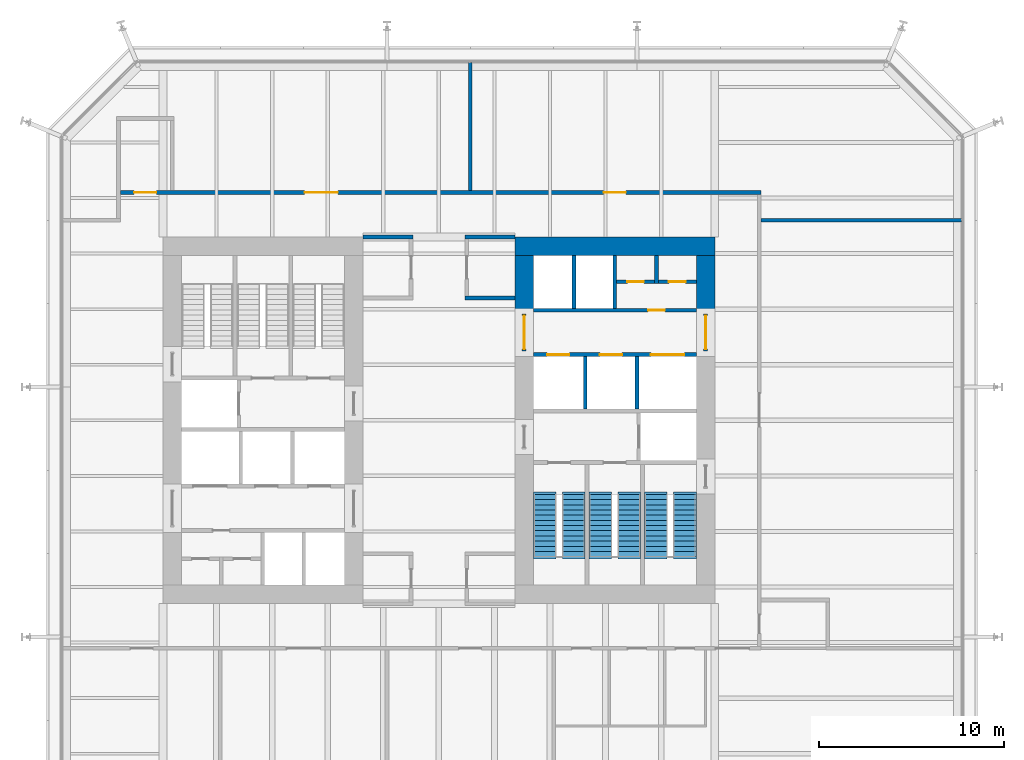
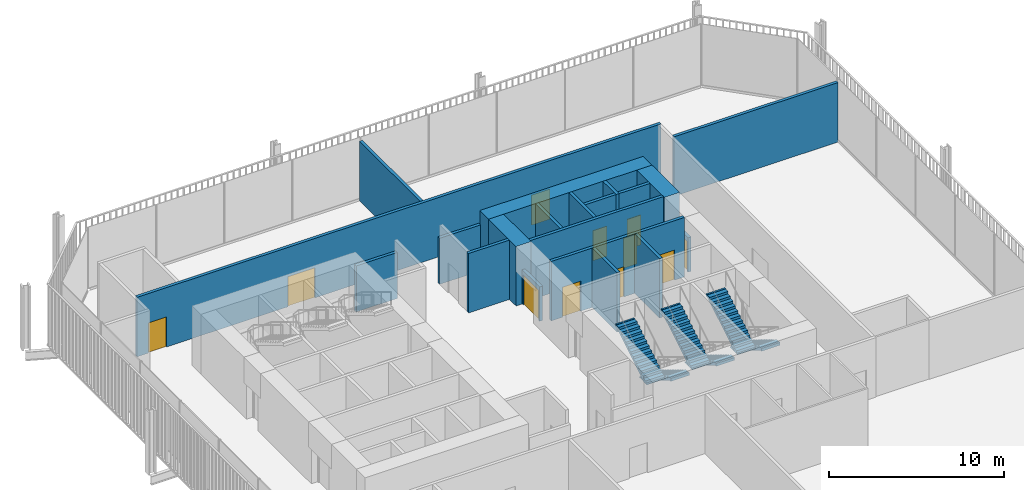
# One storey, part 18 of 20: 19 walls, 11 doors, 6 stair flights, 11 openings, 3 elements without a shape of their own.
"""IFC4 building model written with IfcOpenShell, lengths in metres."""

from ifc_helpers import new_model, si_unit, direction, frame, frame_2d, origin, place, context, subcontext, project, spatial, polyline, rectangle, outline, extrude, material, layer, layer_set, type_object, element, fill, aggregate, save


model = new_model("IFC4")

# Units and contexts
model_context = context("Model", 3, precision=1e-05, world=origin(), true_north=direction((0.0, 1.0)))
body_context = subcontext(model_context, "Body", "Model", "MODEL_VIEW")
ifc_project = project(units=[si_unit("LENGTHUNIT", "METRE"), si_unit("AREAUNIT", "SQUARE_METRE"), si_unit("VOLUMEUNIT", "CUBIC_METRE"), si_unit("PLANEANGLEUNIT", "RADIAN"), si_unit("MASSUNIT", "GRAM", prefix="KILO")], contexts=[model_context])

# Site, building, storey
site_placement = place(None, origin())
site = spatial("IfcSite", under=ifc_project, at=site_placement, CompositionType="ELEMENT")
building_placement = place(site_placement, origin())
building = spatial("IfcBuilding", under=site, at=building_placement, Name="Millrace Tower", CompositionType="ELEMENT")
storey_placement = place(building_placement, frame((0.0, 0.0, 108.39990234375)))
storey = spatial("IfcBuildingStorey", under=building, at=storey_placement, Name="L24", CompositionType="ELEMENT", Elevation=108.39990234375)

# Walls
ifc_material_1 = material(Name="Concrete C80", Category="concrete")
ifc_layer_1 = layer(ifc_material_1, 1.0)
ifc_layer_set_1 = layer_set([ifc_layer_1], Name="Concrete C80")
wall_type_1 = type_object("IfcWallType", Name="Core wall 1000 Concrete C80", PredefinedType="SHEAR", material=ifc_layer_set_1)
wall_1_placement = place(storey_placement, frame((14.89990234375, 9.39990234375, 0.0), z_axis=(0.0, 0.0, 1.0), x_axis=(-1.0, 0.0, 0.0)))
element("IfcWall", 1, at=wall_1_placement, inside=storey, type_object=wall_type_1, Name="Core wall E L24", PredefinedType="SHEAR", context=body_context, shape_type="SweptSolid", body=[
    extrude(rectangle(XDim=10.7998046875, YDim=1.0, at=frame_2d((5.39990234375, 0.0))), origin(), (0.0, 0.0, 1.0), 4.150146484375),
])
for number, where, z_axis, x_axis, name in (
    (2, (14.39990234375, 8.89990234375, 0.0), (0.0, 0.0, 1.0), (0.0, -1.0, 0.0), "Core wall E L24"),
    (3, (4.60009765625, 8.89990234375, 0.0), (0.0, 0.0, 1.0), (0.0, -1.0, 0.0), "Core wall E L24"),
):
    element("IfcWall", number, at=place(storey_placement, frame(where, z_axis=z_axis, x_axis=x_axis)), inside=storey, type_object=wall_type_1, Name=name, PredefinedType="SHEAR", context=body_context, shape_type="SweptSolid", body=[
        extrude(rectangle(XDim=3.14990234375, YDim=1.0, at=frame_2d((1.574951171875, 0.0))), origin(), (0.0, 0.0, 1.0), 4.150146484375),
    ])
ifc_material_2 = material(Name="Masonry partition, fire-rated", Category="masonry")
ifc_layer_2 = layer(ifc_material_2, 0.199951171875)
ifc_layer_set_2 = layer_set([ifc_layer_2], Name="Masonry partition, fire-rated")
wall_type_2 = type_object("IfcWallType", Name="Corridor wall 200", PredefinedType="PARTITIONING", material=ifc_layer_set_2)
wall_2_placement = place(storey_placement, frame((1.39990234375, 6.60009765625, 0.0), z_axis=(0.0, 0.0, 1.0), x_axis=(1.0, 0.0, 0.0)))
element("IfcWall", 4, at=wall_2_placement, inside=storey, type_object=wall_type_2, Name="Corridor wall L24", PredefinedType="PARTITIONING", context=body_context, shape_type="SweptSolid", body=[
    extrude(rectangle(XDim=2.7001953125, YDim=0.199951171875, at=frame_2d((1.35009765625, 0.0))), origin(), (0.0, 0.0, 1.0), 4.150146484375),
])
for number, where, z_axis, x_axis, name in (
    (5, (-4.10009765625, 9.89990234375, 0.0), (0.0, 0.0, 1.0), (1.0, 0.0, 0.0), "Corridor wall L24"),
    (6, (1.39990234375, 9.89990234375, 0.0), (0.0, 0.0, 1.0), (1.0, 0.0, 0.0), "Corridor wall L24"),
):
    element("IfcWall", number, at=place(storey_placement, frame(where, z_axis=z_axis, x_axis=x_axis)), inside=storey, type_object=wall_type_2, Name=name, PredefinedType="PARTITIONING", context=body_context, shape_type="SweptSolid", body=[
        extrude(rectangle(XDim=2.7001953125, YDim=0.199951171875, at=frame_2d((1.35009765625, 0.0))), origin(), (0.0, 0.0, 1.0), 3.212890625),
    ])
wall_3_placement = place(storey_placement, frame((17.39990234375, 10.800048828125, 0.0), z_axis=(0.0, 0.0, 1.0), x_axis=(1.0, 0.0, 0.0)))
element("IfcWall", 7, at=wall_3_placement, inside=storey, type_object=wall_type_2, Name="Corridor wall L24", PredefinedType="PARTITIONING", context=body_context, shape_type="SweptSolid", body=[
    extrude(rectangle(XDim=10.830078125, YDim=0.199951171875, at=frame_2d((5.4150390625, 0.0))), origin(), (0.0, 0.0, 1.0), 4.150146484375),
])

# Wall, openings, doors
wall_4_placement = place(storey_placement, frame((-17.199951171875, 12.300048828125, 0.0), z_axis=(0.0, 0.0, 1.0), x_axis=(1.0, 0.0, 0.0)))
wall_4 = element("IfcWall", 8, at=wall_4_placement, inside=storey, type_object=wall_type_2, Name="Corridor wall L24", PredefinedType="PARTITIONING", context=body_context, shape_type="SweptSolid", body=[
    extrude(rectangle(XDim=34.599853515625, YDim=0.199951171875, at=frame_2d((17.2998046875, 0.0))), origin(), (0.0, 0.0, 1.0), 4.150146484375),
])
opening_1_placement = place(wall_4_placement, frame((9.949951171875, 0.0, 0.0)))
opening_1 = element("IfcOpeningElement", 9, at=opening_1_placement, cuts=wall_4, Name="Opening 24-P012", PredefinedType="OPENING", context=body_context, shape_type="SweptSolid", body=[
    extrude(rectangle(XDim=1.800048828125, YDim=2.10009765625, at=frame_2d((0.89990234375, 1.050048828125))), frame((0.0, 0.10986328125, 0.0), z_axis=(0.0, -1.0, 0.0), x_axis=(1.0, 0.0, 0.0)), (0.0, 0.0, 1.0), 0.219970703125),
])
opening_2_placement = place(wall_4_placement, frame((0.75, 0.0, 0.0)))
opening_2 = element("IfcOpeningElement", 10, at=opening_2_placement, cuts=wall_4, Name="Opening 24-P013", PredefinedType="OPENING", context=body_context, shape_type="SweptSolid", body=[
    extrude(rectangle(XDim=1.199951171875, YDim=2.10009765625, at=frame_2d((0.60009765625, 1.050048828125))), frame((0.0, 0.10986328125, 0.0), z_axis=(0.0, -1.0, 0.0), x_axis=(1.0, 0.0, 0.0)), (0.0, 0.0, 1.0), 0.219970703125),
])
opening_3_placement = place(wall_4_placement, frame((26.10009765625, 0.0, 0.0)))
opening_3 = element("IfcOpeningElement", 11, at=opening_3_placement, cuts=wall_4, Name="Opening 24-P014", PredefinedType="OPENING", context=body_context, shape_type="SweptSolid", body=[
    extrude(rectangle(XDim=1.199951171875, YDim=2.10009765625, at=frame_2d((0.60009765625, 1.050048828125))), frame((0.0, 0.10986328125, 0.0), z_axis=(0.0, -1.0, 0.0), x_axis=(1.0, 0.0, 0.0)), (0.0, 0.0, 1.0), 0.219970703125),
])
ifc_material_3 = material(Name="Steel door set, fire-rated", Category="steel")
door_type_1 = type_object("IfcDoorType", Name="Corridor door 1200 x 2100", OperationType="SINGLE_SWING_LEFT", PredefinedType="DOOR", material=ifc_material_3)
door_1_placement = place(opening_2_placement, origin())
door_1 = element("IfcDoor", 12, at=door_1_placement, inside=storey, type_object=door_type_1, Name="Door 24-P013", OperationType="SINGLE_SWING_LEFT", OverallHeight=2.10009765625, OverallWidth=1.199951171875, PredefinedType="DOOR", context=body_context, shape_type="SweptSolid", body=[
    extrude(rectangle(XDim=1.199951171875, YDim=2.10009765625, at=frame_2d((0.60009765625, 1.050048828125))), frame((0.0, 0.02490234375, 0.0), z_axis=(0.0, -1.0, 0.0), x_axis=(1.0, 0.0, 0.0)), (0.0, 0.0, 1.0), 0.050048828125),
])
fill(opening_2, door_1)
door_2_placement = place(opening_3_placement, frame((1.199951171875, 0.0, 0.0), z_axis=(0.0, 0.0, 1.0), x_axis=(-1.0, 0.0, 0.0)))
door_2 = element("IfcDoor", 13, at=door_2_placement, inside=storey, type_object=door_type_1, Name="Door 24-P014", OperationType="SINGLE_SWING_LEFT", OverallHeight=2.10009765625, OverallWidth=1.199951171875, PredefinedType="DOOR", context=body_context, shape_type="SweptSolid", body=[
    extrude(rectangle(XDim=1.199951171875, YDim=2.10009765625, at=frame_2d((0.60009765625, 1.050048828125))), frame((0.0, 0.02490234375, 0.0), z_axis=(0.0, -1.0, 0.0), x_axis=(1.0, 0.0, 0.0)), (0.0, 0.0, 1.0), 0.050048828125),
])
fill(opening_3, door_2)
ifc_material_4 = material(Name="Steel door set, fire-rated", Category="steel")
door_type_2 = type_object("IfcDoorType", Name="Data hall door 1800 x 2100", OperationType="DOUBLE_DOOR_SINGLE_SWING", PredefinedType="DOOR", material=ifc_material_4)
door_3_placement = place(opening_1_placement, origin())
door_3 = element("IfcDoor", 14, at=door_3_placement, inside=storey, type_object=door_type_2, Name="Door 24-P012", OperationType="DOUBLE_DOOR_SINGLE_SWING", OverallHeight=2.10009765625, OverallWidth=1.800048828125, PredefinedType="DOOR", context=body_context, shape_type="SweptSolid", body=[
    extrude(rectangle(XDim=1.800048828125, YDim=2.10009765625, at=frame_2d((0.89990234375, 1.050048828125))), frame((0.0, 0.02490234375, 0.0), z_axis=(0.0, -1.0, 0.0), x_axis=(1.0, 0.0, 0.0)), (0.0, 0.0, 1.0), 0.050048828125),
])
fill(opening_1, door_3)

# Wall
wall_5_placement = place(storey_placement, frame((1.699951171875, 12.39990234375, 0.0), z_axis=(0.0, 0.0, 1.0), x_axis=(0.0, 1.0, 0.0)))
element("IfcWall", 15, at=wall_5_placement, inside=storey, type_object=wall_type_2, Name="Corridor wall L24", PredefinedType="PARTITIONING", context=body_context, shape_type="SweptSolid", body=[
    extrude(rectangle(XDim=6.93017578125, YDim=0.199951171875, at=frame_2d((3.465087890625, 0.0))), origin(), (0.0, 0.0, 1.0), 4.150146484375),
])

# Wall, opening, door
ifc_material_5 = material(Name="Masonry partition, fire-rated", Category="masonry")
ifc_layer_3 = layer(ifc_material_5, 0.199951171875)
ifc_layer_set_3 = layer_set([ifc_layer_3], Name="Masonry partition, fire-rated")
wall_type_3 = type_object("IfcWallType", Name="Lift shaft wall 200", PredefinedType="PARTITIONING", material=ifc_layer_set_3)
wall_6_placement = place(storey_placement, frame((13.89990234375, 5.949951171875, 0.0), z_axis=(0.0, 0.0, 1.0), x_axis=(-1.0, 0.0, 0.0)))
wall_6 = element("IfcWall", 16, at=wall_6_placement, inside=storey, type_object=wall_type_3, Name="Lift shaft wall E L24", PredefinedType="PARTITIONING", context=body_context, shape_type="SweptSolid", body=[
    extrude(rectangle(XDim=8.7998046875, YDim=0.199951171875, at=frame_2d((4.39990234375, 0.0))), origin(), (0.0, 0.0, 1.0), 4.150146484375),
])
opening_4_placement = place(wall_6_placement, frame((1.699951171875, 0.0, 0.0)))
opening_4 = element("IfcOpeningElement", 17, at=opening_4_placement, cuts=wall_6, Name="Opening 24-C014", PredefinedType="OPENING", context=body_context, shape_type="SweptSolid", body=[
    extrude(rectangle(XDim=0.89990234375, YDim=2.10009765625, at=frame_2d((0.449951171875, 1.050048828125))), frame((0.0, 0.10986328125, 0.0), z_axis=(0.0, -1.0, 0.0), x_axis=(1.0, 0.0, 0.0)), (0.0, 0.0, 1.0), 0.219970703125),
])
ifc_material_6 = material(Name="Steel door, fire-rated", Category="steel")
door_type_3 = type_object("IfcDoorType", Name="Service room door 900 x 2100", OperationType="SINGLE_SWING_LEFT", PredefinedType="DOOR", material=ifc_material_6)
door_4_placement = place(opening_4_placement, origin())
door_4 = element("IfcDoor", 18, at=door_4_placement, inside=storey, type_object=door_type_3, Name="Service room door 24-C014", OperationType="SINGLE_SWING_LEFT", OverallHeight=2.10009765625, OverallWidth=0.89990234375, PredefinedType="DOOR", context=body_context, shape_type="SweptSolid", body=[
    extrude(rectangle(XDim=0.89990234375, YDim=2.10009765625, at=frame_2d((0.449951171875, 1.050048828125))), frame((0.0, 0.02490234375, 0.0), z_axis=(0.0, -1.0, 0.0), x_axis=(1.0, 0.0, 0.0)), (0.0, 0.0, 1.0), 0.050048828125),
])
fill(opening_4, door_4)

# Wall, openings, doors
wall_7_placement = place(storey_placement, frame((13.89990234375, 3.550048828125, 0.0), z_axis=(0.0, 0.0, 1.0), x_axis=(-1.0, 0.0, 0.0)))
wall_7 = element("IfcWall", 19, at=wall_7_placement, inside=storey, type_object=wall_type_3, Name="Lift shaft wall E L24", PredefinedType="PARTITIONING", context=body_context, shape_type="SweptSolid", body=[
    extrude(rectangle(XDim=8.7998046875, YDim=0.199951171875, at=frame_2d((4.39990234375, 0.0))), origin(), (0.0, 0.0, 1.0), 4.150146484375),
])
opening_5_placement = place(wall_7_placement, frame((0.64990234375, 0.0, 0.0)))
opening_5 = element("IfcOpeningElement", 20, at=opening_5_placement, cuts=wall_7, Name="Opening 24-LD13", PredefinedType="OPENING", context=body_context, shape_type="SweptSolid", body=[
    extrude(rectangle(XDim=1.800048828125, YDim=2.10009765625, at=frame_2d((0.89990234375, 1.050048828125))), frame((0.0, 0.10986328125, 0.0), z_axis=(0.0, -1.0, 0.0), x_axis=(1.0, 0.0, 0.0)), (0.0, 0.0, 1.0), 0.219970703125),
])
opening_6_placement = place(wall_7_placement, frame((4.0, 0.0, 0.0)))
opening_6 = element("IfcOpeningElement", 21, at=opening_6_placement, cuts=wall_7, Name="Opening 24-LD14", PredefinedType="OPENING", context=body_context, shape_type="SweptSolid", body=[
    extrude(rectangle(XDim=1.199951171875, YDim=2.10009765625, at=frame_2d((0.60009765625, 1.050048828125))), frame((0.0, 0.10986328125, 0.0), z_axis=(0.0, -1.0, 0.0), x_axis=(1.0, 0.0, 0.0)), (0.0, 0.0, 1.0), 0.219970703125),
])
opening_7_placement = place(wall_7_placement, frame((6.85009765625, 0.0, 0.0)))
opening_7 = element("IfcOpeningElement", 22, at=opening_7_placement, cuts=wall_7, Name="Opening 24-LD15", PredefinedType="OPENING", context=body_context, shape_type="SweptSolid", body=[
    extrude(rectangle(XDim=1.199951171875, YDim=2.10009765625, at=frame_2d((0.60009765625, 1.050048828125))), frame((0.0, 0.10986328125, 0.0), z_axis=(0.0, -1.0, 0.0), x_axis=(1.0, 0.0, 0.0)), (0.0, 0.0, 1.0), 0.219970703125),
])
ifc_material_7 = material(Name="Stainless steel, fire-rated", Category="steel")
door_type_4 = type_object("IfcDoorType", Name="Lift landing door 1200 x 2100", OperationType="DOUBLE_DOOR_SLIDING", PredefinedType="DOOR", material=ifc_material_7)
door_5_placement = place(opening_6_placement, origin())
door_5 = element("IfcDoor", 23, at=door_5_placement, inside=storey, type_object=door_type_4, Name="Lift landing door LF14 L24", OperationType="DOUBLE_DOOR_SLIDING", OverallHeight=2.10009765625, OverallWidth=1.199951171875, PredefinedType="DOOR", context=body_context, shape_type="SweptSolid", body=[
    extrude(rectangle(XDim=1.199951171875, YDim=2.10009765625, at=frame_2d((0.60009765625, 1.050048828125))), frame((0.0, 0.02490234375, 0.0), z_axis=(0.0, -1.0, 0.0), x_axis=(1.0, 0.0, 0.0)), (0.0, 0.0, 1.0), 0.050048828125),
])
fill(opening_6, door_5)
door_6_placement = place(opening_7_placement, origin())
door_6 = element("IfcDoor", 24, at=door_6_placement, inside=storey, type_object=door_type_4, Name="Lift landing door LF15 L24", OperationType="DOUBLE_DOOR_SLIDING", OverallHeight=2.10009765625, OverallWidth=1.199951171875, PredefinedType="DOOR", context=body_context, shape_type="SweptSolid", body=[
    extrude(rectangle(XDim=1.199951171875, YDim=2.10009765625, at=frame_2d((0.60009765625, 1.050048828125))), frame((0.0, 0.02490234375, 0.0), z_axis=(0.0, -1.0, 0.0), x_axis=(1.0, 0.0, 0.0)), (0.0, 0.0, 1.0), 0.050048828125),
])
fill(opening_7, door_6)
ifc_material_8 = material(Name="Stainless steel, fire-rated", Category="steel")
door_type_5 = type_object("IfcDoorType", Name="Lift landing door 1800 x 2100", OperationType="DOUBLE_DOOR_SLIDING", PredefinedType="DOOR", material=ifc_material_8)
door_7_placement = place(opening_5_placement, origin())
door_7 = element("IfcDoor", 25, at=door_7_placement, inside=storey, type_object=door_type_5, Name="Lift landing door LF13 L24", OperationType="DOUBLE_DOOR_SLIDING", OverallHeight=2.10009765625, OverallWidth=1.800048828125, PredefinedType="DOOR", context=body_context, shape_type="SweptSolid", body=[
    extrude(rectangle(XDim=1.800048828125, YDim=2.10009765625, at=frame_2d((0.89990234375, 1.050048828125))), frame((0.0, 0.02490234375, 0.0), z_axis=(0.0, -1.0, 0.0), x_axis=(1.0, 0.0, 0.0)), (0.0, 0.0, 1.0), 0.050048828125),
])
fill(opening_5, door_7)

# Walls
for number, where, z_axis, x_axis, name in (
    (26, (9.5, 8.89990234375, 0.0), (0.0, 0.0, 1.0), (0.0, -1.0, 0.0), "Lift shaft wall E L24"),
    (27, (7.300048828125, 8.89990234375, 0.0), (0.0, 0.0, 1.0), (0.0, -1.0, 0.0), "Lift shaft wall E L24"),
    (28, (10.699951171875, 3.449951171875, 0.0), (0.0, 0.0, 1.0), (0.0, -1.0, 0.0), "Lift shaft wall E L24"),
    (29, (7.89990234375, 3.449951171875, 0.0), (0.0, 0.0, 1.0), (0.0, -1.0, 0.0), "Lift shaft wall E L24"),
):
    element("IfcWall", number, at=place(storey_placement, frame(where, z_axis=z_axis, x_axis=x_axis)), inside=storey, type_object=wall_type_3, Name=name, PredefinedType="PARTITIONING", context=body_context, shape_type="SweptSolid", body=[
        extrude(rectangle(XDim=2.849853515625, YDim=0.199951171875, at=frame_2d((1.4248046875, 0.0))), origin(), (0.0, 0.0, 1.0), 4.150146484375),
    ])

# Wall, opening, door
ifc_material_9 = material(Name="Masonry partition, fire-rated", Category="masonry")
ifc_layer_4 = layer(ifc_material_9, 0.199951171875)
ifc_layer_set_4 = layer_set([ifc_layer_4], Name="Masonry partition, fire-rated")
wall_type_4 = type_object("IfcWallType", Name="Lobby wall 200", PredefinedType="PARTITIONING", material=ifc_layer_set_4)
wall_8_placement = place(storey_placement, frame((14.39990234375, 5.75, 0.0), z_axis=(0.0, 0.0, 1.0), x_axis=(0.0, -1.0, 0.0)))
wall_8 = element("IfcWall", 30, at=wall_8_placement, inside=storey, type_object=wall_type_4, Name="Lobby wall E L24", PredefinedType="PARTITIONING", context=body_context, shape_type="SweptSolid", body=[
    extrude(rectangle(XDim=2.0, YDim=0.199951171875, at=frame_2d((1.0, 0.0))), origin(), (0.0, 0.0, 1.0), 2.400146484375),
])
opening_8_placement = place(wall_8_placement, frame((0.10009765625, 0.0, 0.0)))
opening_8 = element("IfcOpeningElement", 31, at=opening_8_placement, cuts=wall_8, Name="Opening 24-C010", PredefinedType="OPENING", context=body_context, shape_type="SweptSolid", body=[
    extrude(rectangle(XDim=1.800048828125, YDim=2.10009765625, at=frame_2d((0.89990234375, 1.050048828125))), frame((0.0, 0.10986328125, 0.0), z_axis=(0.0, -1.0, 0.0), x_axis=(1.0, 0.0, 0.0)), (0.0, 0.0, 1.0), 0.219970703125),
])
ifc_material_10 = material(Name="Steel door, fire-rated", Category="steel")
door_type_6 = type_object("IfcDoorType", Name="Lobby door 1800 x 2100", OperationType="DOUBLE_DOOR_SINGLE_SWING", PredefinedType="DOOR", material=ifc_material_10)
door_8_placement = place(opening_8_placement, origin())
door_8 = element("IfcDoor", 32, at=door_8_placement, inside=storey, type_object=door_type_6, Name="Lobby door 24-C010", OperationType="DOUBLE_DOOR_SINGLE_SWING", OverallHeight=2.10009765625, OverallWidth=1.800048828125, PredefinedType="DOOR", context=body_context, shape_type="SweptSolid", body=[
    extrude(rectangle(XDim=1.800048828125, YDim=2.10009765625, at=frame_2d((0.89990234375, 1.050048828125))), frame((0.0, 0.02490234375, 0.0), z_axis=(0.0, -1.0, 0.0), x_axis=(1.0, 0.0, 0.0)), (0.0, 0.0, 1.0), 0.050048828125),
])
fill(opening_8, door_8)

wall_9_placement = place(storey_placement, frame((4.60009765625, 5.75, 0.0), z_axis=(0.0, 0.0, 1.0), x_axis=(0.0, -1.0, 0.0)))
wall_9 = element("IfcWall", 33, at=wall_9_placement, inside=storey, type_object=wall_type_4, Name="Lobby wall E L24", PredefinedType="PARTITIONING", context=body_context, shape_type="SweptSolid", body=[
    extrude(rectangle(XDim=2.0, YDim=0.199951171875, at=frame_2d((1.0, 0.0))), origin(), (0.0, 0.0, 1.0), 2.400146484375),
])
opening_9_placement = place(wall_9_placement, frame((0.10009765625, 0.0, 0.0)))
opening_9 = element("IfcOpeningElement", 34, at=opening_9_placement, cuts=wall_9, Name="Opening 24-C012", PredefinedType="OPENING", context=body_context, shape_type="SweptSolid", body=[
    extrude(rectangle(XDim=1.800048828125, YDim=2.10009765625, at=frame_2d((0.89990234375, 1.050048828125))), frame((0.0, 0.10986328125, 0.0), z_axis=(0.0, -1.0, 0.0), x_axis=(1.0, 0.0, 0.0)), (0.0, 0.0, 1.0), 0.219970703125),
])
door_9_placement = place(opening_9_placement, origin())
door_9 = element("IfcDoor", 35, at=door_9_placement, inside=storey, type_object=door_type_6, Name="Lobby door 24-C012", OperationType="DOUBLE_DOOR_SINGLE_SWING", OverallHeight=2.10009765625, OverallWidth=1.800048828125, PredefinedType="DOOR", context=body_context, shape_type="SweptSolid", body=[
    extrude(rectangle(XDim=1.800048828125, YDim=2.10009765625, at=frame_2d((0.89990234375, 1.050048828125))), frame((0.0, 0.02490234375, 0.0), z_axis=(0.0, -1.0, 0.0), x_axis=(1.0, 0.0, 0.0)), (0.0, 0.0, 1.0), 0.050048828125),
])
fill(opening_9, door_9)

# Wall, openings, doors
ifc_material_11 = material(Name="Masonry partition, fire-rated", Category="masonry")
ifc_layer_5 = layer(ifc_material_11, 0.199951171875)
ifc_layer_set_5 = layer_set([ifc_layer_5], Name="Masonry partition, fire-rated")
wall_type_5 = type_object("IfcWallType", Name="Room partition 200", PredefinedType="PARTITIONING", material=ifc_layer_set_5)
wall_10_placement = place(storey_placement, frame((13.89990234375, 7.47509765625, 0.0), z_axis=(0.0, 0.0, 1.0), x_axis=(-1.0, 0.0, 0.0)))
wall_10 = element("IfcWall", 36, at=wall_10_placement, inside=storey, type_object=wall_type_5, Name="Room partition E L24", PredefinedType="PARTITIONING", context=body_context, shape_type="SweptSolid", body=[
    extrude(rectangle(XDim=4.2998046875, YDim=0.199951171875, at=frame_2d((2.14990234375, 0.0))), origin(), (0.0, 0.0, 1.0), 4.150146484375),
])
opening_10_placement = place(wall_10_placement, frame((0.574951171875, 0.0, 0.0)))
opening_10 = element("IfcOpeningElement", 37, at=opening_10_placement, cuts=wall_10, Name="Opening 24-C015", PredefinedType="OPENING", context=body_context, shape_type="SweptSolid", body=[
    extrude(rectangle(XDim=0.89990234375, YDim=2.10009765625, at=frame_2d((0.449951171875, 1.050048828125))), frame((0.0, 0.10986328125, 0.0), z_axis=(0.0, -1.0, 0.0), x_axis=(1.0, 0.0, 0.0)), (0.0, 0.0, 1.0), 0.219970703125),
])
opening_11_placement = place(wall_10_placement, frame((2.824951171875, 0.0, 0.0)))
opening_11 = element("IfcOpeningElement", 38, at=opening_11_placement, cuts=wall_10, Name="Opening 24-C016", PredefinedType="OPENING", context=body_context, shape_type="SweptSolid", body=[
    extrude(rectangle(XDim=0.89990234375, YDim=2.10009765625, at=frame_2d((0.449951171875, 1.050048828125))), frame((0.0, 0.10986328125, 0.0), z_axis=(0.0, -1.0, 0.0), x_axis=(1.0, 0.0, 0.0)), (0.0, 0.0, 1.0), 0.219970703125),
])
door_10_placement = place(opening_10_placement, frame((0.89990234375, 0.0, 0.0), z_axis=(0.0, 0.0, 1.0), x_axis=(-1.0, 0.0, 0.0)))
door_10 = element("IfcDoor", 39, at=door_10_placement, inside=storey, type_object=door_type_3, Name="Service room door 24-C015", OperationType="SINGLE_SWING_RIGHT", OverallHeight=2.10009765625, OverallWidth=0.89990234375, PredefinedType="DOOR", context=body_context, shape_type="SweptSolid", body=[
    extrude(rectangle(XDim=0.89990234375, YDim=2.10009765625, at=frame_2d((0.449951171875, 1.050048828125))), frame((0.0, 0.02490234375, 0.0), z_axis=(0.0, -1.0, 0.0), x_axis=(1.0, 0.0, 0.0)), (0.0, 0.0, 1.0), 0.050048828125),
])
fill(opening_10, door_10)
door_11_placement = place(opening_11_placement, frame((0.89990234375, 0.0, 0.0), z_axis=(0.0, 0.0, 1.0), x_axis=(-1.0, 0.0, 0.0)))
door_11 = element("IfcDoor", 40, at=door_11_placement, inside=storey, type_object=door_type_3, Name="Service room door 24-C016", OperationType="SINGLE_SWING_LEFT", OverallHeight=2.10009765625, OverallWidth=0.89990234375, PredefinedType="DOOR", context=body_context, shape_type="SweptSolid", body=[
    extrude(rectangle(XDim=0.89990234375, YDim=2.10009765625, at=frame_2d((0.449951171875, 1.050048828125))), frame((0.0, 0.02490234375, 0.0), z_axis=(0.0, -1.0, 0.0), x_axis=(1.0, 0.0, 0.0)), (0.0, 0.0, 1.0), 0.050048828125),
])
fill(opening_11, door_11)

# Wall
wall_11_placement = place(storey_placement, frame((11.75, 8.89990234375, 0.0), z_axis=(0.0, 0.0, 1.0), x_axis=(0.0, -1.0, 0.0)))
element("IfcWall", 41, at=wall_11_placement, inside=storey, type_object=wall_type_5, Name="Room partition E L24", PredefinedType="PARTITIONING", context=body_context, shape_type="SweptSolid", body=[
    extrude(rectangle(XDim=1.52490234375, YDim=0.199951171875, at=frame_2d((0.762451171875, 0.0))), origin(), (0.0, 0.0, 1.0), 4.150146484375),
])

# Stair, stair flights
ifc_material_12 = material(Name="Concrete C35", Category="concrete")
stair_type = type_object("IfcStairType", Name="Exit stair", PredefinedType="HALF_TURN_STAIR", material=ifc_material_12)
placement = place(storey_placement, origin())
stair_1 = element("IfcStair", 42, at=placement, inside=storey, type_object=stair_type, Name="Stair 1 E L24", PredefinedType="HALF_TURN_STAIR")
ifc_material_13 = material(Name="Concrete C35", Category="concrete")
stair_flight_type = type_object("IfcStairFlightType", Name="Exit stair flight", PredefinedType="STRAIGHT", material=ifc_material_13)
stair_flight_1_placement = place(storey_placement, frame((13.2900390625, -4.0, 0.0), z_axis=(0.0, 0.0, 1.0), x_axis=(0.0, -1.0, 0.0)))
stair_flight_1 = element("IfcStairFlight", 43, at=stair_flight_1_placement, type_object=stair_flight_type, Name="ST12 flight 1", NumberOfRisers=13, NumberOfTreads=12, PredefinedType="STRAIGHT", RiserHeight=0.169230769, TreadLength=0.28, context=body_context, shape_type="SweptSolid", body=[
    extrude(outline(polyline([(-0.1201171875, -0.0400390625), (-0.1201171875, 0.0), (0.0, 0.0), (0.0, 0.169189453125), (0.280029296875, 0.169189453125), (0.280029296875, 0.33837890625), (0.56005859375, 0.33837890625), (0.56005859375, 0.5078125), (0.840087890625, 0.5078125), (0.840087890625, 0.677001953125), (1.1201171875, 0.677001953125), (1.1201171875, 0.84619140625), (1.39990234375, 0.84619140625), (1.39990234375, 1.015380859375), (1.679931640625, 1.015380859375), (1.679931640625, 1.1845703125), (1.9599609375, 1.1845703125), (1.9599609375, 1.353759765625), (2.239990234375, 1.353759765625), (2.239990234375, 1.523193359375), (2.52001953125, 1.523193359375), (2.52001953125, 1.6923828125), (2.800048828125, 1.6923828125), (2.800048828125, 1.861572265625), (3.080078125, 1.861572265625), (3.080078125, 2.03076171875), (3.360107421875, 2.03076171875), (3.360107421875, 2.05078125), (3.47998046875, 2.05078125), (3.47998046875, 1.855712890625), (3.360107421875, 1.855712890625), (0.289794921875, 0.0), (0.289794921875, -0.0400390625), (-0.1201171875, -0.0400390625)])), frame((0.0, 0.60986328125, 0.0), z_axis=(0.0, -1.0, 0.0), x_axis=(1.0, 0.0, 0.0)), (0.0, 0.0, 1.0), 1.219970703125),
])
stair_flight_2_placement = place(storey_placement, frame((11.7099609375, -7.360107421875, 2.2001953125), z_axis=(0.0, 0.0, 1.0), x_axis=(0.0, 1.0, 0.0)))
stair_flight_2 = element("IfcStairFlight", 44, at=stair_flight_2_placement, type_object=stair_flight_type, Name="ST12 flight 2", NumberOfRisers=13, NumberOfTreads=12, PredefinedType="STRAIGHT", RiserHeight=0.169230769, TreadLength=0.28, context=body_context, shape_type="SweptSolid", body=[
    extrude(outline(polyline([(-0.1201171875, -0.0400390625), (-0.1201171875, 0.0), (0.0, 0.0), (0.0, 0.169189453125), (0.280029296875, 0.169189453125), (0.280029296875, 0.33837890625), (0.56005859375, 0.33837890625), (0.56005859375, 0.5078125), (0.840087890625, 0.5078125), (0.840087890625, 0.677001953125), (1.1201171875, 0.677001953125), (1.1201171875, 0.84619140625), (1.39990234375, 0.84619140625), (1.39990234375, 1.015380859375), (1.679931640625, 1.015380859375), (1.679931640625, 1.1845703125), (1.9599609375, 1.1845703125), (1.9599609375, 1.353759765625), (2.239990234375, 1.353759765625), (2.239990234375, 1.523193359375), (2.52001953125, 1.523193359375), (2.52001953125, 1.6923828125), (2.800048828125, 1.6923828125), (2.800048828125, 1.861572265625), (3.080078125, 1.861572265625), (3.080078125, 2.03076171875), (3.360107421875, 2.03076171875), (3.360107421875, 2.05078125), (3.47998046875, 2.05078125), (3.47998046875, 1.855712890625), (3.360107421875, 1.855712890625), (0.289794921875, 0.0), (0.289794921875, -0.0400390625), (-0.1201171875, -0.0400390625)])), frame((0.0, 0.60986328125, 0.0), z_axis=(0.0, -1.0, 0.0), x_axis=(1.0, 0.0, 0.0)), (0.0, 0.0, 1.0), 1.219970703125),
])
aggregate(stair_1, [stair_flight_1, stair_flight_2])

stair_2 = element("IfcStair", 45, at=placement, inside=storey, type_object=stair_type, Name="Stair 2 E L24", PredefinedType="HALF_TURN_STAIR")
stair_flight_3_placement = place(storey_placement, frame((10.2900390625, -4.0, 0.0), z_axis=(0.0, 0.0, 1.0), x_axis=(0.0, -1.0, 0.0)))
stair_flight_3 = element("IfcStairFlight", 46, at=stair_flight_3_placement, type_object=stair_flight_type, Name="ST12 flight 1", NumberOfRisers=13, NumberOfTreads=12, PredefinedType="STRAIGHT", RiserHeight=0.169230769, TreadLength=0.28, context=body_context, shape_type="SweptSolid", body=[
    extrude(outline(polyline([(-0.1201171875, -0.0400390625), (-0.1201171875, 0.0), (0.0, 0.0), (0.0, 0.169189453125), (0.280029296875, 0.169189453125), (0.280029296875, 0.33837890625), (0.56005859375, 0.33837890625), (0.56005859375, 0.5078125), (0.840087890625, 0.5078125), (0.840087890625, 0.677001953125), (1.1201171875, 0.677001953125), (1.1201171875, 0.84619140625), (1.39990234375, 0.84619140625), (1.39990234375, 1.015380859375), (1.679931640625, 1.015380859375), (1.679931640625, 1.1845703125), (1.9599609375, 1.1845703125), (1.9599609375, 1.353759765625), (2.239990234375, 1.353759765625), (2.239990234375, 1.523193359375), (2.52001953125, 1.523193359375), (2.52001953125, 1.6923828125), (2.800048828125, 1.6923828125), (2.800048828125, 1.861572265625), (3.080078125, 1.861572265625), (3.080078125, 2.03076171875), (3.360107421875, 2.03076171875), (3.360107421875, 2.05078125), (3.47998046875, 2.05078125), (3.47998046875, 1.855712890625), (3.360107421875, 1.855712890625), (0.289794921875, 0.0), (0.289794921875, -0.0400390625), (-0.1201171875, -0.0400390625)])), frame((0.0, 0.60986328125, 0.0), z_axis=(0.0, -1.0, 0.0), x_axis=(1.0, 0.0, 0.0)), (0.0, 0.0, 1.0), 1.219970703125),
])
stair_flight_4_placement = place(storey_placement, frame((8.7099609375, -7.360107421875, 2.2001953125), z_axis=(0.0, 0.0, 1.0), x_axis=(0.0, 1.0, 0.0)))
stair_flight_4 = element("IfcStairFlight", 47, at=stair_flight_4_placement, type_object=stair_flight_type, Name="ST12 flight 2", NumberOfRisers=13, NumberOfTreads=12, PredefinedType="STRAIGHT", RiserHeight=0.169230769, TreadLength=0.28, context=body_context, shape_type="SweptSolid", body=[
    extrude(outline(polyline([(-0.1201171875, -0.0400390625), (-0.1201171875, 0.0), (0.0, 0.0), (0.0, 0.169189453125), (0.280029296875, 0.169189453125), (0.280029296875, 0.33837890625), (0.56005859375, 0.33837890625), (0.56005859375, 0.5078125), (0.840087890625, 0.5078125), (0.840087890625, 0.677001953125), (1.1201171875, 0.677001953125), (1.1201171875, 0.84619140625), (1.39990234375, 0.84619140625), (1.39990234375, 1.015380859375), (1.679931640625, 1.015380859375), (1.679931640625, 1.1845703125), (1.9599609375, 1.1845703125), (1.9599609375, 1.353759765625), (2.239990234375, 1.353759765625), (2.239990234375, 1.523193359375), (2.52001953125, 1.523193359375), (2.52001953125, 1.6923828125), (2.800048828125, 1.6923828125), (2.800048828125, 1.861572265625), (3.080078125, 1.861572265625), (3.080078125, 2.03076171875), (3.360107421875, 2.03076171875), (3.360107421875, 2.05078125), (3.47998046875, 2.05078125), (3.47998046875, 1.855712890625), (3.360107421875, 1.855712890625), (0.289794921875, 0.0), (0.289794921875, -0.0400390625), (-0.1201171875, -0.0400390625)])), frame((0.0, 0.60986328125, 0.0), z_axis=(0.0, -1.0, 0.0), x_axis=(1.0, 0.0, 0.0)), (0.0, 0.0, 1.0), 1.219970703125),
])
aggregate(stair_2, [stair_flight_3, stair_flight_4])

stair_3 = element("IfcStair", 48, at=placement, inside=storey, type_object=stair_type, Name="Stair 3 E L24", PredefinedType="HALF_TURN_STAIR")
stair_flight_5_placement = place(storey_placement, frame((7.2900390625, -4.0, 0.0), z_axis=(0.0, 0.0, 1.0), x_axis=(0.0, -1.0, 0.0)))
stair_flight_5 = element("IfcStairFlight", 49, at=stair_flight_5_placement, type_object=stair_flight_type, Name="ST12 flight 1", NumberOfRisers=13, NumberOfTreads=12, PredefinedType="STRAIGHT", RiserHeight=0.169230769, TreadLength=0.28, context=body_context, shape_type="SweptSolid", body=[
    extrude(outline(polyline([(-0.1201171875, -0.0400390625), (-0.1201171875, 0.0), (0.0, 0.0), (0.0, 0.169189453125), (0.280029296875, 0.169189453125), (0.280029296875, 0.33837890625), (0.56005859375, 0.33837890625), (0.56005859375, 0.5078125), (0.840087890625, 0.5078125), (0.840087890625, 0.677001953125), (1.1201171875, 0.677001953125), (1.1201171875, 0.84619140625), (1.39990234375, 0.84619140625), (1.39990234375, 1.015380859375), (1.679931640625, 1.015380859375), (1.679931640625, 1.1845703125), (1.9599609375, 1.1845703125), (1.9599609375, 1.353759765625), (2.239990234375, 1.353759765625), (2.239990234375, 1.523193359375), (2.52001953125, 1.523193359375), (2.52001953125, 1.6923828125), (2.800048828125, 1.6923828125), (2.800048828125, 1.861572265625), (3.080078125, 1.861572265625), (3.080078125, 2.03076171875), (3.360107421875, 2.03076171875), (3.360107421875, 2.05078125), (3.47998046875, 2.05078125), (3.47998046875, 1.855712890625), (3.360107421875, 1.855712890625), (0.289794921875, 0.0), (0.289794921875, -0.0400390625), (-0.1201171875, -0.0400390625)])), frame((0.0, 0.60986328125, 0.0), z_axis=(0.0, -1.0, 0.0), x_axis=(1.0, 0.0, 0.0)), (0.0, 0.0, 1.0), 1.219970703125),
])
stair_flight_6_placement = place(storey_placement, frame((5.7099609375, -7.360107421875, 2.2001953125), z_axis=(0.0, 0.0, 1.0), x_axis=(0.0, 1.0, 0.0)))
stair_flight_6 = element("IfcStairFlight", 50, at=stair_flight_6_placement, type_object=stair_flight_type, Name="ST12 flight 2", NumberOfRisers=13, NumberOfTreads=12, PredefinedType="STRAIGHT", RiserHeight=0.169230769, TreadLength=0.28, context=body_context, shape_type="SweptSolid", body=[
    extrude(outline(polyline([(-0.1201171875, -0.0400390625), (-0.1201171875, 0.0), (0.0, 0.0), (0.0, 0.169189453125), (0.280029296875, 0.169189453125), (0.280029296875, 0.33837890625), (0.56005859375, 0.33837890625), (0.56005859375, 0.5078125), (0.840087890625, 0.5078125), (0.840087890625, 0.677001953125), (1.1201171875, 0.677001953125), (1.1201171875, 0.84619140625), (1.39990234375, 0.84619140625), (1.39990234375, 1.015380859375), (1.679931640625, 1.015380859375), (1.679931640625, 1.1845703125), (1.9599609375, 1.1845703125), (1.9599609375, 1.353759765625), (2.239990234375, 1.353759765625), (2.239990234375, 1.523193359375), (2.52001953125, 1.523193359375), (2.52001953125, 1.6923828125), (2.800048828125, 1.6923828125), (2.800048828125, 1.861572265625), (3.080078125, 1.861572265625), (3.080078125, 2.03076171875), (3.360107421875, 2.03076171875), (3.360107421875, 2.05078125), (3.47998046875, 2.05078125), (3.47998046875, 1.855712890625), (3.360107421875, 1.855712890625), (0.289794921875, 0.0), (0.289794921875, -0.0400390625), (-0.1201171875, -0.0400390625)])), frame((0.0, 0.60986328125, 0.0), z_axis=(0.0, -1.0, 0.0), x_axis=(1.0, 0.0, 0.0)), (0.0, 0.0, 1.0), 1.219970703125),
])
aggregate(stair_3, [stair_flight_5, stair_flight_6])

save(model, "model.ifc")
